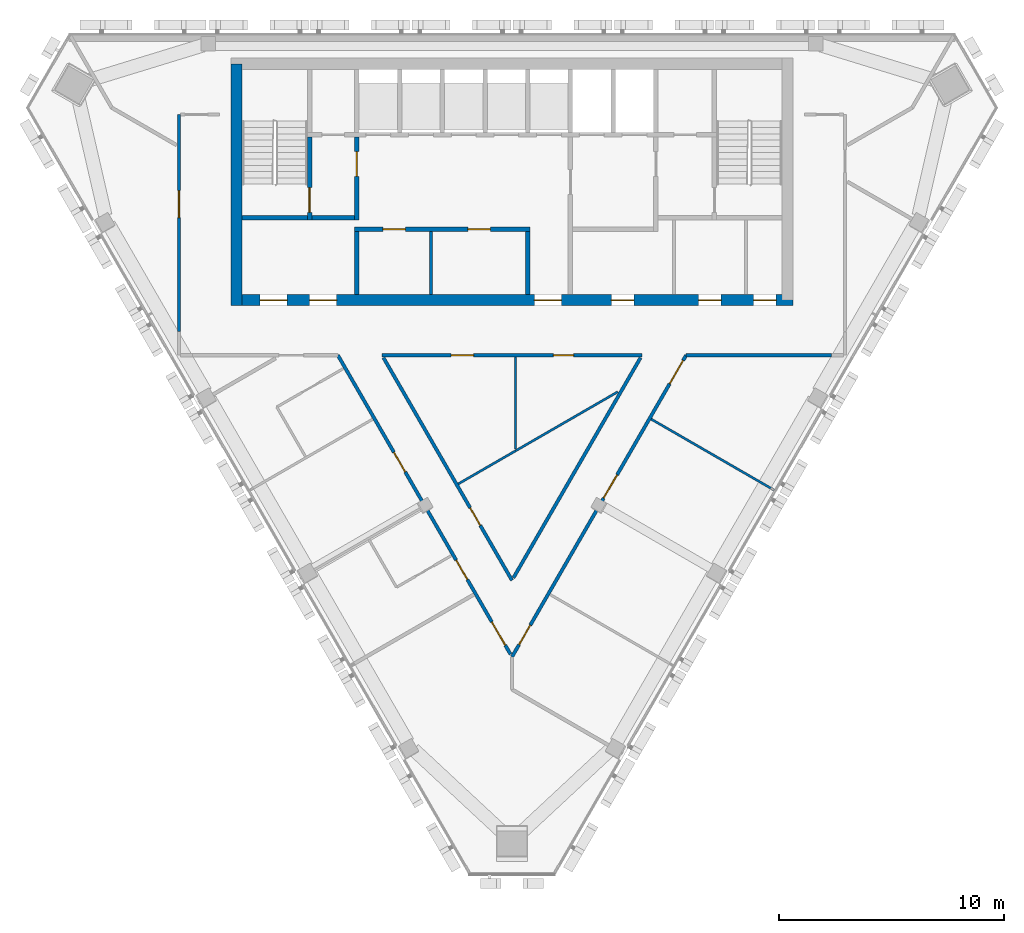
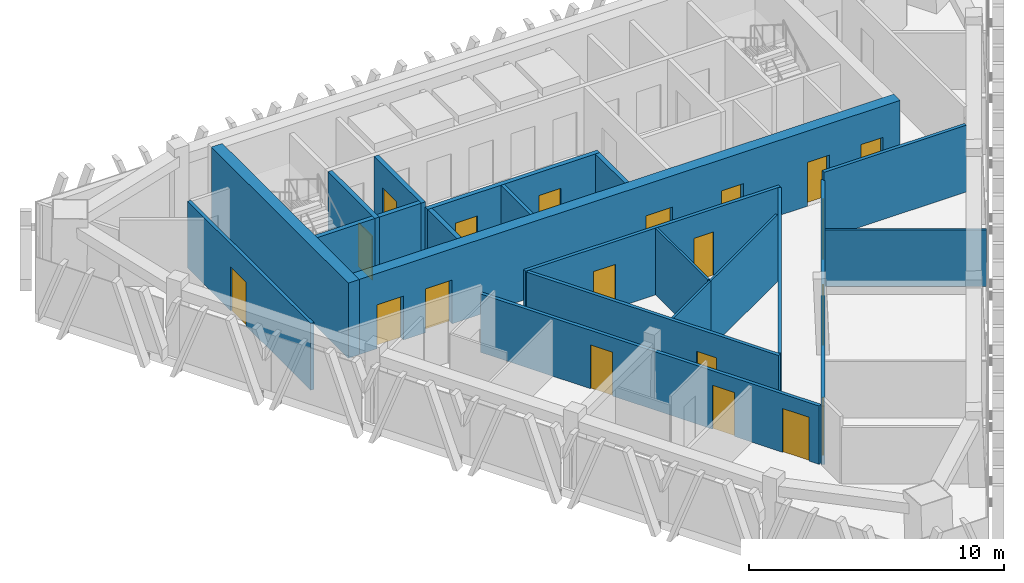
# One storey, part 6 of 12: 21 walls, 20 doors, 20 openings.
"""IFC4 building model written with IfcOpenShell, lengths in metres."""

import ifcopenshell
import ifcopenshell.guid

model = None  # the IFC model being written
_history = None  # IfcOwnerHistory: only IFC2X3 demands one
_inside = {}  # id of a spatial element -> (the spatial element, [elements in it])
_under = {}  # id of a project, library or spatial element -> (it, [spatial elements below it])
_declared = {}  # id of a project -> (the project, [libraries it declares])
_typed = {}  # id of a type object -> (the type object, [elements of that type])
_made_of = {}  # id of a material, layer set ... -> (it, [elements and type objects made of it])


def new_model(schema):
    """Start an empty IFC model of exactly this schema.

    Asked for "IFC4X3", IfcOpenShell would pick the latest addendum, in which some entities
    have other attributes; the version numbers below select the first issue.
    IFC2X3 requires an IfcOwnerHistory on every rooted entity: one is made here for all.
    """
    global model, _history
    if schema == "IFC4X3":
        model = ifcopenshell.file(schema_version=(4, 3, 0, 0))
    else:
        model = ifcopenshell.file(schema=schema)
    _inside.clear()
    _under.clear()
    _declared.clear()
    _typed.clear()
    _made_of.clear()
    _history = None
    if model.schema == "IFC2X3":
        org = make("IfcOrganization", Name="unknown")
        user = make(
            "IfcPersonAndOrganization",
            ThePerson=make("IfcPerson", FamilyName="unknown"),
            TheOrganization=org,
        )
        app = make(
            "IfcApplication",
            ApplicationDeveloper=org,
            Version="unknown",
            ApplicationFullName="unknown",
            ApplicationIdentifier="unknown",
        )
        _history = make(
            "IfcOwnerHistory",
            OwningUser=user,
            OwningApplication=app,
            ChangeAction="ADDED",
            CreationDate=0,
        )
    return model


def make(cls, **values):
    """One entity of the class cls with the attributes given. An attribute that is None is left unset."""
    return model.create_entity(
        cls, **{name: value for name, value in values.items() if value is not None}
    )


def rooted(cls, **values):
    """An entity with a GlobalId (a new one), such as an element, a storey or a relation."""
    return make(cls, GlobalId=ifcopenshell.guid.new(), OwnerHistory=_history, **values)


def si_unit(unit_type, name, prefix=None):
    """IfcSIUnit, for example si_unit("LENGTHUNIT", "METRE", prefix="MILLI")."""
    return make("IfcSIUnit", UnitType=unit_type, Prefix=prefix, Name=name)


def assignment(units):
    """IfcUnitAssignment: the units of a project."""
    return None if units is None else make("IfcUnitAssignment", Units=units)


def point(xyz):
    """IfcCartesianPoint."""
    return None if xyz is None else make("IfcCartesianPoint", Coordinates=xyz)


def direction(xyz):
    """IfcDirection."""
    return None if xyz is None else make("IfcDirection", DirectionRatios=xyz)


def frame(location, z_axis=None, x_axis=None):
    """IfcAxis2Placement3D, a coordinate frame: its origin and axes. An axis left out is left unset."""
    return make(
        "IfcAxis2Placement3D",
        Location=point(location),
        Axis=direction(z_axis),
        RefDirection=direction(x_axis),
    )


def frame_2d(location, x_axis=None):
    """IfcAxis2Placement2D, a coordinate frame in the plane: its origin and x axis."""
    return make(
        "IfcAxis2Placement2D", Location=point(location), RefDirection=direction(x_axis)
    )


def origin():
    """The frame at (0, 0, 0) with its axes left unset."""
    return frame((0.0, 0.0, 0.0))


def place(relative_to, where):
    """IfcLocalPlacement: puts the frame where relative to a parent placement (None: the world)."""
    return make(
        "IfcLocalPlacement", PlacementRelTo=relative_to, RelativePlacement=where
    )


def context(
    kind, dimensions, precision=None, world=None, true_north=None, identifier=None
):
    """IfcGeometricRepresentationContext, for example the 3D "Model" context."""
    return make(
        "IfcGeometricRepresentationContext",
        ContextIdentifier=identifier,
        ContextType=kind,
        CoordinateSpaceDimension=dimensions,
        Precision=precision,
        WorldCoordinateSystem=world,
        TrueNorth=true_north,
    )


def subcontext(parent, identifier, kind, view, scale=None):
    """IfcGeometricRepresentationSubContext, for example "Body" below "Model"."""
    return make(
        "IfcGeometricRepresentationSubContext",
        ContextIdentifier=identifier,
        ContextType=kind,
        ParentContext=parent,
        TargetScale=scale,
        TargetView=view,
    )


def project(units=None, contexts=None):
    """IfcProject with its units and contexts."""
    return rooted(
        "IfcProject",
        Name="project",
        RepresentationContexts=contexts,
        UnitsInContext=assignment(units),
    )


def spatial(cls, under=None, at=None, **own):
    """A site, building, storey or space (cls), placed at a placement, below another one or the project."""
    s = rooted(cls, ObjectPlacement=at, **own)
    if under is not None:
        _under.setdefault(under.id(), (under, []))[1].append(s)
    return s


def profile(cls, at=None, kind="AREA", **sizes):
    """A parametric profile (cls). Its sizes go by their IFC names, for example OverallWidth=200.0."""
    return make(cls, ProfileType=kind, Position=at, **sizes)


def rectangle(**sizes):
    """IfcRectangleProfileDef."""
    return profile("IfcRectangleProfileDef", **sizes)


def extrude(swept, where, along, depth):
    """IfcExtrudedAreaSolid: the profile swept, set in the frame where, extruded along a direction by depth."""
    return make(
        "IfcExtrudedAreaSolid",
        SweptArea=swept,
        Position=where,
        ExtrudedDirection=direction(along),
        Depth=depth,
    )


def shape(context_of_items, identifier, shape_type, items):
    """IfcShapeRepresentation: the items that make up one representation, for example the "Body"."""
    return make(
        "IfcShapeRepresentation",
        ContextOfItems=context_of_items,
        RepresentationIdentifier=identifier,
        RepresentationType=shape_type,
        Items=items,
    )


def material(Name=None, Category=None):
    """IfcMaterial."""
    return make("IfcMaterial", Name=Name, Category=Category)


def layer(
    of_material, thickness, ventilated=None, Name=None, Category=None, Priority=None
):
    """IfcMaterialLayer: one layer of a wall or slab, of a material (None: an air gap)."""
    return make(
        "IfcMaterialLayer",
        Material=of_material,
        LayerThickness=thickness,
        IsVentilated=ventilated,
        Name=Name,
        Category=Category,
        Priority=Priority,
    )


def layer_set(layers, Name=None):
    """IfcMaterialLayerSet."""
    return make("IfcMaterialLayerSet", MaterialLayers=layers, LayerSetName=Name)


def made_of(thing, what):
    """Note that an element or type object is made of a material, layer set ...; save() writes the relation."""
    if what is not None:
        _made_of.setdefault(what.id(), (what, []))[1].append(thing)
    return thing


def type_object(cls, material=None, **own):
    """A type object (cls), such as IfcWallType, which elements share."""
    return made_of(rooted(cls, **own), material)


def element(
    cls,
    number,
    at=None,
    inside=None,
    cuts=None,
    type_object=None,
    material=None,
    context=None,
    identifier="Body",
    shape_type=None,
    held_by="IfcProductDefinitionShape",
    body=None,
    shapes=None,
    **own,
):
    """One element of the class cls, such as IfcWall. Its Tag is "e" and its number.

    at: its placement. inside: the storey or other place that contains it. cuts: it is an
    opening in that element (IfcRelVoidsElement). A single representation is given by context,
    identifier, shape_type and body (its items); several are given by shapes. held_by: the class
    of the entity that holds the representations. save() writes the other relations.
    """
    e = rooted(cls, Tag="e%d" % number, ObjectPlacement=at, **own)
    if body is not None:
        shapes = [shape(context, identifier, shape_type, body)]
    if shapes is not None:
        e.Representation = make(held_by, Representations=shapes)
    if inside is not None:
        _inside.setdefault(inside.id(), (inside, []))[1].append(e)
    if cuts is not None:
        rooted(
            "IfcRelVoidsElement", RelatingBuildingElement=cuts, RelatedOpeningElement=e
        )
    if type_object is not None:
        _typed.setdefault(type_object.id(), (type_object, []))[1].append(e)
    return made_of(e, material)


def fill(opening, filler):
    """IfcRelFillsElement: the door or window that sits in an opening."""
    return rooted(
        "IfcRelFillsElement",
        RelatingOpeningElement=opening,
        RelatedBuildingElement=filler,
    )


def aggregate(whole, parts):
    """IfcRelAggregates: a whole, such as a stair, and the parts it consists of."""
    return rooted("IfcRelAggregates", RelatingObject=whole, RelatedObjects=parts)


def save(model, path):
    """Write the relations noted so far, then the file.

    IfcRelAggregates (storeys below a building ...), IfcRelContainedInSpatialStructure (elements
    in a storey), IfcRelDefinesByType, IfcRelAssociatesMaterial and IfcRelDeclares: one each for
    every whole, place, type object, material and project.
    """
    for whole, parts in _under.values():
        aggregate(whole, parts)
    for where, things in _inside.values():
        rooted(
            "IfcRelContainedInSpatialStructure",
            RelatedElements=things,
            RelatingStructure=where,
        )
    for kind, things in _typed.values():
        rooted("IfcRelDefinesByType", RelatedObjects=things, RelatingType=kind)
    for what, things in _made_of.values():
        rooted("IfcRelAssociatesMaterial", RelatedObjects=things, RelatingMaterial=what)
    for by, libraries in _declared.values():
        rooted("IfcRelDeclares", RelatingContext=by, RelatedDefinitions=libraries)
    model.write(path)


model = new_model("IFC4")

# Units and contexts
model_context = context("Model", 3, precision=1e-05, world=origin(), true_north=direction((0.0, 1.0)))
body_context = subcontext(model_context, "Body", "Model", "MODEL_VIEW")
ifc_project = project(units=[si_unit("LENGTHUNIT", "METRE"), si_unit("AREAUNIT", "SQUARE_METRE"), si_unit("VOLUMEUNIT", "CUBIC_METRE"), si_unit("PLANEANGLEUNIT", "RADIAN"), si_unit("MASSUNIT", "GRAM", prefix="KILO")], contexts=[model_context])

# Site, building, storey
site_placement = place(None, origin())
site = spatial("IfcSite", under=ifc_project, at=site_placement, CompositionType="ELEMENT")
building_placement = place(site_placement, origin())
building = spatial("IfcBuilding", under=site, at=building_placement, Name="Altiplano Prism Tower", CompositionType="ELEMENT")
storey_placement = place(building_placement, frame((0.0, 0.0, 316.60009765625)))
storey = spatial("IfcBuildingStorey", under=building, at=storey_placement, Name="L82", CompositionType="ELEMENT", Elevation=316.60009765625)

# Wall, openings, doors
ifc_material_1 = material(Name="Concrete C60/75", Category="concrete")
ifc_layer_1 = layer(ifc_material_1, 0.5)
ifc_layer_set_1 = layer_set([ifc_layer_1], Name="Concrete C60/75")
wall_type_1 = type_object("IfcWallType", Name="Core wall 500", PredefinedType="SHEAR", material=ifc_layer_set_1)
wall_1_placement = place(storey_placement, frame((72.75, 93.14990234375, 0.0), z_axis=(0.0, 0.0, 1.0), x_axis=(1.0, 0.0, 0.0)))
wall_1 = element("IfcWall", 1, at=wall_1_placement, inside=storey, type_object=wall_type_1, Name="Core wall S L82", PredefinedType="SHEAR", context=body_context, shape_type="SweptSolid", body=[
    extrude(rectangle(XDim=24.75, YDim=0.5, at=frame_2d((12.375, 0.0))), origin(), (0.0, 0.0, 1.0), 3.599853515625),
])
opening_1_placement = place(wall_1_placement, frame((1.050048828125, 0.0, 0.0)))
opening_1 = element("IfcOpeningElement", 2, at=opening_1_placement, cuts=wall_1, Name="Opening D3743", PredefinedType="OPENING", context=body_context, shape_type="SweptSolid", body=[
    extrude(rectangle(XDim=1.199951171875, YDim=2.10009765625, at=frame_2d((0.60009765625, 1.050048828125))), frame((0.0, 0.260498046875, 0.0), z_axis=(0.0, -1.0, 0.0), x_axis=(1.0, 0.0, 0.0)), (0.0, 0.0, 1.0), 0.52099609375),
])
opening_2_placement = place(wall_1_placement, frame((3.25, 0.0, 0.0)))
opening_2 = element("IfcOpeningElement", 3, at=opening_2_placement, cuts=wall_1, Name="Opening D3744", PredefinedType="OPENING", context=body_context, shape_type="SweptSolid", body=[
    extrude(rectangle(XDim=1.199951171875, YDim=2.10009765625, at=frame_2d((0.60009765625, 1.050048828125))), frame((0.0, 0.260498046875, 0.0), z_axis=(0.0, -1.0, 0.0), x_axis=(1.0, 0.0, 0.0)), (0.0, 0.0, 1.0), 0.52099609375),
])
opening_3_placement = place(wall_1_placement, frame((13.25, 0.0, 0.0)))
opening_3 = element("IfcOpeningElement", 4, at=opening_3_placement, cuts=wall_1, Name="Opening D3745", PredefinedType="OPENING", context=body_context, shape_type="SweptSolid", body=[
    extrude(rectangle(XDim=1.199951171875, YDim=2.10009765625, at=frame_2d((0.60009765625, 1.050048828125))), frame((0.0, 0.260498046875, 0.0), z_axis=(0.0, -1.0, 0.0), x_axis=(1.0, 0.0, 0.0)), (0.0, 0.0, 1.0), 0.52099609375),
])
opening_4_placement = place(wall_1_placement, frame((16.66259765625, 0.0, 0.0)))
opening_4 = element("IfcOpeningElement", 5, at=opening_4_placement, cuts=wall_1, Name="Opening D3748", PredefinedType="OPENING", context=body_context, shape_type="SweptSolid", body=[
    extrude(rectangle(XDim=1.0, YDim=2.10009765625, at=frame_2d((0.5, 1.050048828125))), frame((0.0, 0.260498046875, 0.0), z_axis=(0.0, -1.0, 0.0), x_axis=(1.0, 0.0, 0.0)), (0.0, 0.0, 1.0), 0.52099609375),
])
opening_5_placement = place(wall_1_placement, frame((20.550048828125, 0.0, 0.0)))
opening_5 = element("IfcOpeningElement", 6, at=opening_5_placement, cuts=wall_1, Name="Opening D3749", PredefinedType="OPENING", context=body_context, shape_type="SweptSolid", body=[
    extrude(rectangle(XDim=1.0, YDim=2.10009765625, at=frame_2d((0.5, 1.050048828125))), frame((0.0, 0.260498046875, 0.0), z_axis=(0.0, -1.0, 0.0), x_axis=(1.0, 0.0, 0.0)), (0.0, 0.0, 1.0), 0.52099609375),
])
opening_6_placement = place(wall_1_placement, frame((22.987548828125, 0.0, 0.0)))
opening_6 = element("IfcOpeningElement", 7, at=opening_6_placement, cuts=wall_1, Name="Opening D3750", PredefinedType="OPENING", context=body_context, shape_type="SweptSolid", body=[
    extrude(rectangle(XDim=1.0, YDim=2.10009765625, at=frame_2d((0.5, 1.050048828125))), frame((0.0, 0.260498046875, 0.0), z_axis=(0.0, -1.0, 0.0), x_axis=(1.0, 0.0, 0.0)), (0.0, 0.0, 1.0), 0.52099609375),
])
ifc_material_2 = material(Name="Fire-rated steel door", Category="steel")
door_type_1 = type_object("IfcDoorType", Name="Core room door 1000 x 2100", OperationType="NOTDEFINED", PredefinedType="NOTDEFINED", material=ifc_material_2)
door_1_placement = place(opening_4_placement, origin())
door_1 = element("IfcDoor", 8, at=door_1_placement, inside=storey, type_object=door_type_1, Name="Core room door D3748", OperationType="SINGLE_SWING_RIGHT", OverallHeight=2.10009765625, OverallWidth=1.0, PredefinedType="NOTDEFINED", context=body_context, shape_type="SweptSolid", body=[
    extrude(rectangle(XDim=1.0, YDim=2.10009765625, at=frame_2d((0.5, 1.050048828125))), frame((0.0, 0.02490234375, 0.0), z_axis=(0.0, -1.0, 0.0), x_axis=(1.0, 0.0, 0.0)), (0.0, 0.0, 1.0), 0.050048828125),
])
fill(opening_4, door_1)
door_2_placement = place(opening_5_placement, origin())
door_2 = element("IfcDoor", 9, at=door_2_placement, inside=storey, type_object=door_type_1, Name="Core room door D3749", OperationType="SINGLE_SWING_LEFT", OverallHeight=2.10009765625, OverallWidth=1.0, PredefinedType="NOTDEFINED", context=body_context, shape_type="SweptSolid", body=[
    extrude(rectangle(XDim=1.0, YDim=2.10009765625, at=frame_2d((0.5, 1.050048828125))), frame((0.0, 0.02490234375, 0.0), z_axis=(0.0, -1.0, 0.0), x_axis=(1.0, 0.0, 0.0)), (0.0, 0.0, 1.0), 0.050048828125),
])
fill(opening_5, door_2)
door_3_placement = place(opening_6_placement, origin())
door_3 = element("IfcDoor", 10, at=door_3_placement, inside=storey, type_object=door_type_1, Name="Core room door D3750", OperationType="SINGLE_SWING_RIGHT", OverallHeight=2.10009765625, OverallWidth=1.0, PredefinedType="NOTDEFINED", context=body_context, shape_type="SweptSolid", body=[
    extrude(rectangle(XDim=1.0, YDim=2.10009765625, at=frame_2d((0.5, 1.050048828125))), frame((0.0, 0.02490234375, 0.0), z_axis=(0.0, -1.0, 0.0), x_axis=(1.0, 0.0, 0.0)), (0.0, 0.0, 1.0), 0.050048828125),
])
fill(opening_6, door_3)
door_type_2 = type_object("IfcDoorType", Name="Lobby fire door 1200 x 2100", OperationType="NOTDEFINED", PredefinedType="NOTDEFINED", material=ifc_material_2)
door_4_placement = place(opening_1_placement, origin())
door_4 = element("IfcDoor", 11, at=door_4_placement, inside=storey, type_object=door_type_2, Name="Lobby fire door D3743", OperationType="SINGLE_SWING_RIGHT", OverallHeight=2.10009765625, OverallWidth=1.199951171875, PredefinedType="NOTDEFINED", context=body_context, shape_type="SweptSolid", body=[
    extrude(rectangle(XDim=1.199951171875, YDim=2.10009765625, at=frame_2d((0.60009765625, 1.050048828125))), frame((0.0, 0.02490234375, 0.0), z_axis=(0.0, -1.0, 0.0), x_axis=(1.0, 0.0, 0.0)), (0.0, 0.0, 1.0), 0.050048828125),
])
fill(opening_1, door_4)
door_5_placement = place(opening_2_placement, origin())
door_5 = element("IfcDoor", 12, at=door_5_placement, inside=storey, type_object=door_type_2, Name="Lobby fire door D3744", OperationType="SINGLE_SWING_LEFT", OverallHeight=2.10009765625, OverallWidth=1.199951171875, PredefinedType="NOTDEFINED", context=body_context, shape_type="SweptSolid", body=[
    extrude(rectangle(XDim=1.199951171875, YDim=2.10009765625, at=frame_2d((0.60009765625, 1.050048828125))), frame((0.0, 0.02490234375, 0.0), z_axis=(0.0, -1.0, 0.0), x_axis=(1.0, 0.0, 0.0)), (0.0, 0.0, 1.0), 0.050048828125),
])
fill(opening_2, door_5)
door_6_placement = place(opening_3_placement, origin())
door_6 = element("IfcDoor", 13, at=door_6_placement, inside=storey, type_object=door_type_2, Name="Lobby fire door D3745", OperationType="SINGLE_SWING_RIGHT", OverallHeight=2.10009765625, OverallWidth=1.199951171875, PredefinedType="NOTDEFINED", context=body_context, shape_type="SweptSolid", body=[
    extrude(rectangle(XDim=1.199951171875, YDim=2.10009765625, at=frame_2d((0.60009765625, 1.050048828125))), frame((0.0, 0.02490234375, 0.0), z_axis=(0.0, -1.0, 0.0), x_axis=(1.0, 0.0, 0.0)), (0.0, 0.0, 1.0), 0.050048828125),
])
fill(opening_3, door_6)

# Walls
wall_2_placement = place(storey_placement, frame((72.75, 103.64990234375, 0.0), z_axis=(0.0, 0.0, 1.0), x_axis=(0.0, -1.0, 0.0)))
element("IfcWall", 14, at=wall_2_placement, inside=storey, type_object=wall_type_1, Name="Core wall W L82", PredefinedType="SHEAR", context=body_context, shape_type="SweptSolid", body=[
    extrude(rectangle(XDim=10.75, YDim=0.5, at=frame_2d((5.375, 0.0))), origin(), (0.0, 0.0, 1.0), 3.599853515625),
])
ifc_material_3 = material(Name="Plasterboard on steel stud", Category="steel")
ifc_layer_2 = layer(ifc_material_3, 0.10009765625)
ifc_layer_set_2 = layer_set([ifc_layer_2], Name="Plasterboard on steel stud")
wall_type_2 = type_object("IfcWallType", Name="Partition 100 wet", PredefinedType="PARTITIONING", material=ifc_layer_set_2)
wall_3_placement = place(storey_placement, frame((85.14111328125, 86.4384765625, 0.0), z_axis=(0.0, 0.0, 1.0), x_axis=(0.86601724409, 0.500014132739, 0.0)))
element("IfcWall", 15, at=wall_3_placement, inside=storey, type_object=wall_type_2, Name="Partition P03 L82 016", PredefinedType="PARTITIONING", context=body_context, shape_type="SweptSolid", body=[
    extrude(rectangle(XDim=5.264892578125, YDim=0.10009765625, at=frame_2d((2.63232421875, 0.0))), origin(), (0.0, 0.0, 1.0), 3.199951171875),
])
wall_4_placement = place(storey_placement, frame((85.158447265625, 90.6240234375, 0.0), z_axis=(0.0, 0.0, 1.0), x_axis=(0.0, -1.0, 0.0)))
element("IfcWall", 16, at=wall_4_placement, inside=storey, type_object=wall_type_2, Name="Partition P03 L82 017", PredefinedType="PARTITIONING", context=body_context, shape_type="SweptSolid", body=[
    extrude(rectangle(XDim=4.0888671875, YDim=0.10009765625, at=frame_2d((2.04443359375, 0.0))), origin(), (0.0, 0.0, 1.0), 3.199951171875),
])
wall_5_placement = place(storey_placement, frame((85.158447265625, 86.448486328125, 0.0), z_axis=(0.0, 0.0, 1.0), x_axis=(-0.866052847297, -0.49995246343, 0.0)))
element("IfcWall", 17, at=wall_5_placement, inside=storey, type_object=wall_type_2, Name="Partition P03 L82 018", PredefinedType="PARTITIONING", context=body_context, shape_type="SweptSolid", body=[
    extrude(rectangle(XDim=2.940185546875, YDim=0.10009765625, at=frame_2d((1.47021484375, 0.0))), origin(), (0.0, 0.0, 1.0), 3.199951171875),
])
wall_6_placement = place(storey_placement, frame((96.6826171875, 84.68505859375, 0.0), z_axis=(0.0, 0.0, 1.0), x_axis=(-0.866025401434, 0.500000004071, 0.0)))
element("IfcWall", 18, at=wall_6_placement, inside=storey, type_object=wall_type_2, Name="Partition P03 L82 032", PredefinedType="PARTITIONING", context=body_context, shape_type="SweptSolid", body=[
    extrude(rectangle(XDim=6.34521484375, YDim=0.10009765625, at=frame_2d((3.172607421875, 0.0))), origin(), (0.0, 0.0, 1.0), 2.699951171875),
])
ifc_layer_3 = layer(ifc_material_3, 0.14990234375)
ifc_layer_set_3 = layer_set([ifc_layer_3], Name="Plasterboard on steel stud")
wall_type_3 = type_object("IfcWallType", Name="Partition 150 corridor", PredefinedType="PARTITIONING", material=ifc_layer_set_3)
wall_7_placement = place(storey_placement, frame((90.71240234375, 90.58642578125, 0.0), z_axis=(0.0, 0.0, 1.0), x_axis=(-0.500007481044, -0.866021084559, 0.0)))
element("IfcWall", 19, at=wall_7_placement, inside=storey, type_object=wall_type_3, Name="Partition P06 L82 001", PredefinedType="PARTITIONING", context=body_context, shape_type="SweptSolid", body=[
    extrude(rectangle(XDim=11.294677734375, YDim=0.14990234375, at=frame_2d((5.6474609375, 0.0))), origin(), (0.0, 0.0, 1.0), 3.199951171875),
])

# Wall, opening, door
wall_8_placement = place(storey_placement, frame((85.0, 80.692626953125, 0.0), z_axis=(0.0, 0.0, 1.0), x_axis=(-0.500014109568, 0.866017257468, 0.0)))
wall_8 = element("IfcWall", 20, at=wall_8_placement, inside=storey, type_object=wall_type_3, Name="Partition P06 L82 002", PredefinedType="PARTITIONING", context=body_context, shape_type="SweptSolid", body=[
    extrude(rectangle(XDim=11.424560546875, YDim=0.14990234375, at=frame_2d((5.71240234375, 0.0))), origin(), (0.0, 0.0, 1.0), 3.199951171875),
])
opening_7_placement = place(wall_8_placement, frame((2.820068359375, 0.0, 0.0)))
opening_7 = element("IfcOpeningElement", 21, at=opening_7_placement, cuts=wall_8, Name="Opening D2409", PredefinedType="OPENING", context=body_context, shape_type="SweptSolid", body=[
    extrude(rectangle(XDim=0.89990234375, YDim=2.10009765625, at=frame_2d((0.449951171875, 1.050048828125))), frame((0.0, 0.08544921875, 0.0), z_axis=(0.0, -1.0, 0.0), x_axis=(1.0, 0.0, 0.0)), (0.0, 0.0, 1.0), 0.1708984375),
])
ifc_material_4 = material(Name="Timber", Category="wood")
door_type_3 = type_object("IfcDoorType", Name="Toilet door 900 x 2100", OperationType="NOTDEFINED", PredefinedType="NOTDEFINED", material=ifc_material_4)
door_7_placement = place(opening_7_placement, origin())
door_7 = element("IfcDoor", 22, at=door_7_placement, inside=storey, type_object=door_type_3, Name="Door D2409", OperationType="SINGLE_SWING_RIGHT", OverallHeight=2.10009765625, OverallWidth=0.89990234375, PredefinedType="NOTDEFINED", context=body_context, shape_type="SweptSolid", body=[
    extrude(rectangle(XDim=0.89990234375, YDim=2.10009765625, at=frame_2d((0.449951171875, 1.050048828125))), frame((0.0, 0.02490234375, 0.0), z_axis=(0.0, -1.0, 0.0), x_axis=(1.0, 0.0, 0.0)), (0.0, 0.0, 1.0), 0.050048828125),
])
fill(opening_7, door_7)

# Wall, openings, doors
wall_9_placement = place(storey_placement, frame((79.22265625, 90.698974609375, 0.0), z_axis=(0.0, 0.0, 1.0), x_axis=(1.0, 0.0, 0.0)))
wall_9 = element("IfcWall", 23, at=wall_9_placement, inside=storey, type_object=wall_type_3, Name="Partition P06 L82 003", PredefinedType="PARTITIONING", context=body_context, shape_type="SweptSolid", body=[
    extrude(rectangle(XDim=11.5546875, YDim=0.14990234375, at=frame_2d((5.77734375, 0.0))), origin(), (0.0, 0.0, 1.0), 3.199951171875),
])
opening_8_placement = place(wall_9_placement, frame((7.6220703125, 0.0, 0.0)))
opening_8 = element("IfcOpeningElement", 24, at=opening_8_placement, cuts=wall_9, Name="Opening D2408", PredefinedType="OPENING", context=body_context, shape_type="SweptSolid", body=[
    extrude(rectangle(XDim=0.89990234375, YDim=2.10009765625, at=frame_2d((0.449951171875, 1.050048828125))), frame((0.0, 0.08544921875, 0.0), z_axis=(0.0, -1.0, 0.0), x_axis=(1.0, 0.0, 0.0)), (0.0, 0.0, 1.0), 0.1708984375),
])
opening_9_placement = place(wall_9_placement, frame((3.072021484375, 0.0, 0.0)))
opening_9 = element("IfcOpeningElement", 25, at=opening_9_placement, cuts=wall_9, Name="Opening D2410", PredefinedType="OPENING", context=body_context, shape_type="SweptSolid", body=[
    extrude(rectangle(XDim=1.0, YDim=2.10009765625, at=frame_2d((0.5, 1.050048828125))), frame((0.0, 0.08544921875, 0.0), z_axis=(0.0, -1.0, 0.0), x_axis=(1.0, 0.0, 0.0)), (0.0, 0.0, 1.0), 0.1708984375),
])
door_type_4 = type_object("IfcDoorType", Name="Store door 1000 x 2100", OperationType="NOTDEFINED", PredefinedType="NOTDEFINED", material=ifc_material_4)
door_8_placement = place(opening_9_placement, origin())
door_8 = element("IfcDoor", 26, at=door_8_placement, inside=storey, type_object=door_type_4, Name="Door D2410", OperationType="SINGLE_SWING_RIGHT", OverallHeight=2.10009765625, OverallWidth=1.0, PredefinedType="NOTDEFINED", context=body_context, shape_type="SweptSolid", body=[
    extrude(rectangle(XDim=1.0, YDim=2.10009765625, at=frame_2d((0.5, 1.050048828125))), frame((0.0, 0.02490234375, 0.0), z_axis=(0.0, -1.0, 0.0), x_axis=(1.0, 0.0, 0.0)), (0.0, 0.0, 1.0), 0.050048828125),
])
fill(opening_9, door_8)
door_9_placement = place(opening_8_placement, origin())
door_9 = element("IfcDoor", 27, at=door_9_placement, inside=storey, type_object=door_type_3, Name="Door D2408", OperationType="SINGLE_SWING_RIGHT", OverallHeight=2.10009765625, OverallWidth=0.89990234375, PredefinedType="NOTDEFINED", context=body_context, shape_type="SweptSolid", body=[
    extrude(rectangle(XDim=0.89990234375, YDim=2.10009765625, at=frame_2d((0.449951171875, 1.050048828125))), frame((0.0, 0.02490234375, 0.0), z_axis=(0.0, -1.0, 0.0), x_axis=(1.0, 0.0, 0.0)), (0.0, 0.0, 1.0), 0.050048828125),
])
fill(opening_8, door_9)

# Wall, opening, door
wall_10_placement = place(storey_placement, frame((70.199462890625, 101.40087890625, 0.0), z_axis=(0.0, 0.0, 1.0), x_axis=(5.0553561e-05, -0.999999998722, 0.0)))
wall_10 = element("IfcWall", 28, at=wall_10_placement, inside=storey, type_object=wall_type_3, Name="Partition P06 L82 004", PredefinedType="PARTITIONING", context=body_context, shape_type="SweptSolid", body=[
    extrude(rectangle(XDim=9.65869140625, YDim=0.14990234375, at=frame_2d((4.829345703125, 0.0))), origin(), (0.0, 0.0, 1.0), 3.199951171875),
])
opening_10_placement = place(wall_10_placement, frame((3.386962890625, 0.0, 0.0)))
opening_10 = element("IfcOpeningElement", 29, at=opening_10_placement, cuts=wall_10, Name="Opening D2411", PredefinedType="OPENING", context=body_context, shape_type="SweptSolid", body=[
    extrude(rectangle(XDim=1.199951171875, YDim=2.10009765625, at=frame_2d((0.60009765625, 1.050048828125))), frame((0.0, 0.08544921875, 0.0), z_axis=(0.0, -1.0, 0.0), x_axis=(1.0, 0.0, 0.0)), (0.0, 0.0, 1.0), 0.1708984375),
])
door_type_5 = type_object("IfcDoorType", Name="Shared room door 1200 x 2100", OperationType="NOTDEFINED", PredefinedType="NOTDEFINED", material=ifc_material_4)
door_10_placement = place(opening_10_placement, origin())
door_10 = element("IfcDoor", 30, at=door_10_placement, inside=storey, type_object=door_type_5, Name="Door D2411", OperationType="SINGLE_SWING_RIGHT", OverallHeight=2.10009765625, OverallWidth=1.199951171875, PredefinedType="NOTDEFINED", context=body_context, shape_type="SweptSolid", body=[
    extrude(rectangle(XDim=1.199951171875, YDim=2.10009765625, at=frame_2d((0.60009765625, 1.050048828125))), frame((0.0, 0.02490234375, 0.0), z_axis=(0.0, -1.0, 0.0), x_axis=(1.0, 0.0, 0.0)), (0.0, 0.0, 1.0), 0.050048828125),
])
fill(opening_10, door_10)

# Wall, openings, doors
wall_11_placement = place(storey_placement, frame((77.258056640625, 90.699951171875, 0.0), z_axis=(0.0, 0.0, 1.0), x_axis=(0.500002324769, -0.866024061574, 0.0)))
wall_11 = element("IfcWall", 31, at=wall_11_placement, inside=storey, type_object=wall_type_3, Name="Partition P06 L82 008", PredefinedType="PARTITIONING", context=body_context, shape_type="SweptSolid", body=[
    extrude(rectangle(XDim=15.35400390625, YDim=0.14990234375, at=frame_2d((7.677001953125, 0.0))), origin(), (0.0, 0.0, 1.0), 2.7998046875),
])
opening_11_placement = place(wall_11_placement, frame((4.989013671875, 0.0, 0.0)))
opening_11 = element("IfcOpeningElement", 32, at=opening_11_placement, cuts=wall_11, Name="Opening D2414", PredefinedType="OPENING", context=body_context, shape_type="SweptSolid", body=[
    extrude(rectangle(XDim=1.0, YDim=2.10009765625, at=frame_2d((0.5, 1.050048828125))), frame((0.0, 0.08544921875, 0.0), z_axis=(0.0, -1.0, 0.0), x_axis=(1.0, 0.0, 0.0)), (0.0, 0.0, 1.0), 0.1708984375),
])
opening_12_placement = place(wall_11_placement, frame((10.51806640625, 0.0, 0.0)))
opening_12 = element("IfcOpeningElement", 33, at=opening_12_placement, cuts=wall_11, Name="Opening D2415", PredefinedType="OPENING", context=body_context, shape_type="SweptSolid", body=[
    extrude(rectangle(XDim=1.0, YDim=2.10009765625, at=frame_2d((0.5, 1.050048828125))), frame((0.0, 0.08544921875, 0.0), z_axis=(0.0, -1.0, 0.0), x_axis=(1.0, 0.0, 0.0)), (0.0, 0.0, 1.0), 0.1708984375),
])
opening_13_placement = place(wall_11_placement, frame((13.68701171875, 0.0, 0.0)))
opening_13 = element("IfcOpeningElement", 34, at=opening_13_placement, cuts=wall_11, Name="Opening D2417", PredefinedType="OPENING", context=body_context, shape_type="SweptSolid", body=[
    extrude(rectangle(XDim=1.199951171875, YDim=2.10009765625, at=frame_2d((0.60009765625, 1.050048828125))), frame((0.0, 0.08544921875, 0.0), z_axis=(0.0, -1.0, 0.0), x_axis=(1.0, 0.0, 0.0)), (0.0, 0.0, 1.0), 0.1708984375),
])
door_type_6 = type_object("IfcDoorType", Name="Bedroom entrance door 1000 x 2100", OperationType="NOTDEFINED", PredefinedType="NOTDEFINED", material=ifc_material_4)
door_11_placement = place(opening_12_placement, origin())
door_11 = element("IfcDoor", 35, at=door_11_placement, inside=storey, type_object=door_type_6, Name="Door D2415", OperationType="SINGLE_SWING_RIGHT", OverallHeight=2.10009765625, OverallWidth=1.0, PredefinedType="NOTDEFINED", context=body_context, shape_type="SweptSolid", body=[
    extrude(rectangle(XDim=1.0, YDim=2.10009765625, at=frame_2d((0.5, 1.050048828125))), frame((0.0, 0.02490234375, 0.0), z_axis=(0.0, -1.0, 0.0), x_axis=(1.0, 0.0, 0.0)), (0.0, 0.0, 1.0), 0.050048828125),
])
fill(opening_12, door_11)
door_type_7 = type_object("IfcDoorType", Name="Room door 1000 x 2100", OperationType="NOTDEFINED", PredefinedType="NOTDEFINED", material=ifc_material_4)
door_12_placement = place(opening_11_placement, origin())
door_12 = element("IfcDoor", 36, at=door_12_placement, inside=storey, type_object=door_type_7, Name="Door D2414", OperationType="SINGLE_SWING_RIGHT", OverallHeight=2.10009765625, OverallWidth=1.0, PredefinedType="NOTDEFINED", context=body_context, shape_type="SweptSolid", body=[
    extrude(rectangle(XDim=1.0, YDim=2.10009765625, at=frame_2d((0.5, 1.050048828125))), frame((0.0, 0.02490234375, 0.0), z_axis=(0.0, -1.0, 0.0), x_axis=(1.0, 0.0, 0.0)), (0.0, 0.0, 1.0), 0.050048828125),
])
fill(opening_11, door_12)
door_13_placement = place(opening_13_placement, origin())
door_13 = element("IfcDoor", 37, at=door_13_placement, inside=storey, type_object=door_type_5, Name="Door D2417", OperationType="SINGLE_SWING_RIGHT", OverallHeight=2.10009765625, OverallWidth=1.199951171875, PredefinedType="NOTDEFINED", context=body_context, shape_type="SweptSolid", body=[
    extrude(rectangle(XDim=1.199951171875, YDim=2.10009765625, at=frame_2d((0.60009765625, 1.050048828125))), frame((0.0, 0.02490234375, 0.0), z_axis=(0.0, -1.0, 0.0), x_axis=(1.0, 0.0, 0.0)), (0.0, 0.0, 1.0), 0.050048828125),
])
fill(opening_13, door_13)

wall_12_placement = place(storey_placement, frame((85.0, 77.29052734375, 0.0), z_axis=(0.0, 0.0, 1.0), x_axis=(0.500000431216, 0.866025154822, 0.0)))
wall_12 = element("IfcWall", 38, at=wall_12_placement, inside=storey, type_object=wall_type_3, Name="Partition P06 L82 009", PredefinedType="PARTITIONING", context=body_context, shape_type="SweptSolid", body=[
    extrude(rectangle(XDim=15.48388671875, YDim=0.14990234375, at=frame_2d((7.741943359375, 0.0))), origin(), (0.0, 0.0, 1.0), 2.7998046875),
])
opening_14_placement = place(wall_12_placement, frame((0.6240234375, 0.0, 0.0)))
opening_14 = element("IfcOpeningElement", 39, at=opening_14_placement, cuts=wall_12, Name="Opening D2418", PredefinedType="OPENING", context=body_context, shape_type="SweptSolid", body=[
    extrude(rectangle(XDim=1.0, YDim=2.10009765625, at=frame_2d((0.5, 1.050048828125))), frame((0.0, 0.08544921875, 0.0), z_axis=(0.0, -1.0, 0.0), x_axis=(1.0, 0.0, 0.0)), (0.0, 0.0, 1.0), 0.1708984375),
])
opening_15_placement = place(wall_12_placement, frame((8.14501953125, 0.0, 0.0)))
opening_15 = element("IfcOpeningElement", 40, at=opening_15_placement, cuts=wall_12, Name="Opening D2419", PredefinedType="OPENING", context=body_context, shape_type="SweptSolid", body=[
    extrude(rectangle(XDim=1.199951171875, YDim=2.10009765625, at=frame_2d((0.60009765625, 1.050048828125))), frame((0.0, 0.08544921875, 0.0), z_axis=(0.0, -1.0, 0.0), x_axis=(1.0, 0.0, 0.0)), (0.0, 0.0, 1.0), 0.1708984375),
])
opening_16_placement = place(wall_12_placement, frame((14.009033203125, 0.0, 0.0)))
opening_16 = element("IfcOpeningElement", 41, at=opening_16_placement, cuts=wall_12, Name="Opening D2420", PredefinedType="OPENING", context=body_context, shape_type="SweptSolid", body=[
    extrude(rectangle(XDim=1.199951171875, YDim=2.10009765625, at=frame_2d((0.60009765625, 1.050048828125))), frame((0.0, 0.08544921875, 0.0), z_axis=(0.0, -1.0, 0.0), x_axis=(1.0, 0.0, 0.0)), (0.0, 0.0, 1.0), 0.1708984375),
])
door_14_placement = place(opening_14_placement, origin())
door_14 = element("IfcDoor", 42, at=door_14_placement, inside=storey, type_object=door_type_7, Name="Door D2418", OperationType="SINGLE_SWING_LEFT", OverallHeight=2.10009765625, OverallWidth=1.0, PredefinedType="NOTDEFINED", context=body_context, shape_type="SweptSolid", body=[
    extrude(rectangle(XDim=1.0, YDim=2.10009765625, at=frame_2d((0.5, 1.050048828125))), frame((0.0, 0.02490234375, 0.0), z_axis=(0.0, -1.0, 0.0), x_axis=(1.0, 0.0, 0.0)), (0.0, 0.0, 1.0), 0.050048828125),
])
fill(opening_14, door_14)
door_15_placement = place(opening_15_placement, origin())
door_15 = element("IfcDoor", 43, at=door_15_placement, inside=storey, type_object=door_type_5, Name="Door D2419", OperationType="SINGLE_SWING_RIGHT", OverallHeight=2.10009765625, OverallWidth=1.199951171875, PredefinedType="NOTDEFINED", context=body_context, shape_type="SweptSolid", body=[
    extrude(rectangle(XDim=1.199951171875, YDim=2.10009765625, at=frame_2d((0.60009765625, 1.050048828125))), frame((0.0, 0.02490234375, 0.0), z_axis=(0.0, -1.0, 0.0), x_axis=(1.0, 0.0, 0.0)), (0.0, 0.0, 1.0), 0.050048828125),
])
fill(opening_15, door_15)
door_16_placement = place(opening_16_placement, origin())
door_16 = element("IfcDoor", 44, at=door_16_placement, inside=storey, type_object=door_type_5, Name="Door D2420", OperationType="SINGLE_SWING_RIGHT", OverallHeight=2.10009765625, OverallWidth=1.199951171875, PredefinedType="NOTDEFINED", context=body_context, shape_type="SweptSolid", body=[
    extrude(rectangle(XDim=1.199951171875, YDim=2.10009765625, at=frame_2d((0.60009765625, 1.050048828125))), frame((0.0, 0.02490234375, 0.0), z_axis=(0.0, -1.0, 0.0), x_axis=(1.0, 0.0, 0.0)), (0.0, 0.0, 1.0), 0.050048828125),
])
fill(opening_16, door_16)

# Walls
wall_13_placement = place(storey_placement, frame((92.741943359375, 90.699951171875, 0.0), z_axis=(0.0, 0.0, 1.0), x_axis=(1.0, 0.0, 0.0)))
element("IfcWall", 45, at=wall_13_placement, inside=storey, type_object=wall_type_3, Name="Partition P06 L82 010", PredefinedType="PARTITIONING", context=body_context, shape_type="SweptSolid", body=[
    extrude(rectangle(XDim=6.45654296875, YDim=0.14990234375, at=frame_2d((3.228271484375, 0.0))), origin(), (0.0, 0.0, 1.0), 3.199951171875),
])
ifc_material_5 = material(Name="Fire-rated gypsum board partition")
ifc_layer_4 = layer(ifc_material_5, 0.14990234375)
ifc_layer_set_4 = layer_set([ifc_layer_4], Name="Fire-rated gypsum board partition")
wall_type_4 = type_object("IfcWallType", Name="Room partition 150", PredefinedType="PARTITIONING", material=ifc_layer_set_4)
wall_14_placement = place(storey_placement, frame((81.39990234375, 93.39990234375, 0.0), z_axis=(0.0, 0.0, 1.0), x_axis=(0.0, 1.0, 0.0)))
element("IfcWall", 46, at=wall_14_placement, inside=storey, type_object=wall_type_4, Name="Room partition L82", PredefinedType="PARTITIONING", context=body_context, shape_type="SweptSolid", body=[
    extrude(rectangle(XDim=2.800048828125, YDim=0.14990234375, at=frame_2d((1.39990234375, 0.0))), origin(), (0.0, 0.0, 1.0), 3.199951171875),
])
ifc_layer_5 = layer(ifc_material_1, 0.199951171875)
ifc_layer_set_5 = layer_set([ifc_layer_5], Name="Concrete C60/75")
wall_type_5 = type_object("IfcWallType", Name="Stair wall 200", PredefinedType="SOLIDWALL", material=ifc_layer_set_5)
wall_15_placement = place(storey_placement, frame((73.0, 96.800048828125, 0.0), z_axis=(0.0, 0.0, 1.0), x_axis=(1.0, 0.0, 0.0)))
element("IfcWall", 47, at=wall_15_placement, inside=storey, type_object=wall_type_5, Name="Stair wall L82", PredefinedType="SOLIDWALL", context=body_context, shape_type="SweptSolid", body=[
    extrude(rectangle(XDim=2.89990234375, YDim=0.199951171875, at=frame_2d((1.449951171875, 0.0))), origin(), (0.0, 0.0, 1.0), 3.199951171875),
])

# Wall, opening, door
wall_16_placement = place(storey_placement, frame((76.0, 96.699951171875, 0.0), z_axis=(0.0, 0.0, 1.0), x_axis=(0.0, 1.0, 0.0)))
wall_16 = element("IfcWall", 48, at=wall_16_placement, inside=storey, type_object=wall_type_5, Name="Stair wall L82", PredefinedType="SOLIDWALL", context=body_context, shape_type="SweptSolid", body=[
    extrude(rectangle(XDim=3.699951171875, YDim=0.199951171875, at=frame_2d((1.85009765625, 0.0))), origin(), (0.0, 0.0, 1.0), 3.199951171875),
])
opening_17_placement = place(wall_16_placement, frame((0.35009765625, 0.0, 0.0)))
opening_17 = element("IfcOpeningElement", 49, at=opening_17_placement, cuts=wall_16, Name="Opening D3738", PredefinedType="OPENING", context=body_context, shape_type="SweptSolid", body=[
    extrude(rectangle(XDim=1.10009765625, YDim=2.10009765625, at=frame_2d((0.550048828125, 1.050048828125))), frame((0.0, 0.1103515625, 0.0), z_axis=(0.0, -1.0, 0.0), x_axis=(1.0, 0.0, 0.0)), (0.0, 0.0, 1.0), 0.220947265625),
])
door_type_8 = type_object("IfcDoorType", Name="Stair fire door 1100 x 2100", OperationType="NOTDEFINED", PredefinedType="NOTDEFINED", material=ifc_material_2)
door_17_placement = place(opening_17_placement, origin())
door_17 = element("IfcDoor", 50, at=door_17_placement, inside=storey, type_object=door_type_8, Name="Stair fire door D3738", OperationType="SINGLE_SWING_RIGHT", OverallHeight=2.10009765625, OverallWidth=1.10009765625, PredefinedType="NOTDEFINED", context=body_context, shape_type="SweptSolid", body=[
    extrude(rectangle(XDim=1.10009765625, YDim=2.10009765625, at=frame_2d((0.550048828125, 1.050048828125))), frame((0.0, 0.02490234375, 0.0), z_axis=(0.0, -1.0, 0.0), x_axis=(1.0, 0.0, 0.0)), (0.0, 0.0, 1.0), 0.050048828125),
])
fill(opening_17, door_17)

# Walls
ifc_layer_6 = layer(ifc_material_1, 0.199951171875)
ifc_layer_set_6 = layer_set([ifc_layer_6], Name="Concrete C60/75")
wall_type_6 = type_object("IfcWallType", Name="Vestibule wall 200", PredefinedType="PARTITIONING", material=ifc_layer_set_6)
for number, where, z_axis, x_axis, name in (
    (51, (78.10009765625, 93.39990234375, 0.0), (0.0, 0.0, 1.0), (0.0, 1.0, 0.0), "Vestibule wall L82"),
    (52, (85.699951171875, 93.39990234375, 0.0), (0.0, 0.0, 1.0), (0.0, 1.0, 0.0), "Vestibule wall L82"),
):
    element("IfcWall", number, at=place(storey_placement, frame(where, z_axis=z_axis, x_axis=x_axis)), inside=storey, type_object=wall_type_6, Name=name, PredefinedType="PARTITIONING", context=body_context, shape_type="SweptSolid", body=[
        extrude(rectangle(XDim=2.800048828125, YDim=0.199951171875, at=frame_2d((1.39990234375, 0.0))), origin(), (0.0, 0.0, 1.0), 3.199951171875),
    ])

# Wall, openings, doors
wall_17_placement = place(storey_placement, frame((78.0, 96.300048828125, 0.0), z_axis=(0.0, 0.0, 1.0), x_axis=(1.0, 0.0, 0.0)))
wall_17 = element("IfcWall", 53, at=wall_17_placement, inside=storey, type_object=wall_type_6, Name="Vestibule wall L82", PredefinedType="PARTITIONING", context=body_context, shape_type="SweptSolid", body=[
    extrude(rectangle(XDim=7.800048828125, YDim=0.199951171875, at=frame_2d((3.89990234375, 0.0))), origin(), (0.0, 0.0, 1.0), 3.199951171875),
])
opening_18_placement = place(wall_17_placement, frame((1.262451171875, 0.0, 0.0)))
opening_18 = element("IfcOpeningElement", 54, at=opening_18_placement, cuts=wall_17, Name="Opening D3751", PredefinedType="OPENING", context=body_context, shape_type="SweptSolid", body=[
    extrude(rectangle(XDim=1.0, YDim=2.10009765625, at=frame_2d((0.5, 1.050048828125))), frame((0.0, 0.1103515625, 0.0), z_axis=(0.0, -1.0, 0.0), x_axis=(1.0, 0.0, 0.0)), (0.0, 0.0, 1.0), 0.220947265625),
])
opening_19_placement = place(wall_17_placement, frame((5.03759765625, 0.0, 0.0)))
opening_19 = element("IfcOpeningElement", 55, at=opening_19_placement, cuts=wall_17, Name="Opening D3752", PredefinedType="OPENING", context=body_context, shape_type="SweptSolid", body=[
    extrude(rectangle(XDim=1.0, YDim=2.10009765625, at=frame_2d((0.5, 1.050048828125))), frame((0.0, 0.1103515625, 0.0), z_axis=(0.0, -1.0, 0.0), x_axis=(1.0, 0.0, 0.0)), (0.0, 0.0, 1.0), 0.220947265625),
])
door_18_placement = place(opening_18_placement, origin())
door_18 = element("IfcDoor", 56, at=door_18_placement, inside=storey, type_object=door_type_1, Name="Core room door D3751", OperationType="SINGLE_SWING_RIGHT", OverallHeight=2.10009765625, OverallWidth=1.0, PredefinedType="NOTDEFINED", context=body_context, shape_type="SweptSolid", body=[
    extrude(rectangle(XDim=1.0, YDim=2.10009765625, at=frame_2d((0.5, 1.050048828125))), frame((0.0, 0.02490234375, 0.0), z_axis=(0.0, -1.0, 0.0), x_axis=(1.0, 0.0, 0.0)), (0.0, 0.0, 1.0), 0.050048828125),
])
fill(opening_18, door_18)
door_19_placement = place(opening_19_placement, origin())
door_19 = element("IfcDoor", 57, at=door_19_placement, inside=storey, type_object=door_type_1, Name="Core room door D3752", OperationType="SINGLE_SWING_RIGHT", OverallHeight=2.10009765625, OverallWidth=1.0, PredefinedType="NOTDEFINED", context=body_context, shape_type="SweptSolid", body=[
    extrude(rectangle(XDim=1.0, YDim=2.10009765625, at=frame_2d((0.5, 1.050048828125))), frame((0.0, 0.02490234375, 0.0), z_axis=(0.0, -1.0, 0.0), x_axis=(1.0, 0.0, 0.0)), (0.0, 0.0, 1.0), 0.050048828125),
])
fill(opening_19, door_19)

# Wall
wall_18_placement = place(storey_placement, frame((76.10009765625, 96.800048828125, 0.0), z_axis=(0.0, 0.0, 1.0), x_axis=(1.0, 0.0, 0.0)))
element("IfcWall", 58, at=wall_18_placement, inside=storey, type_object=wall_type_6, Name="Vestibule wall L82", PredefinedType="PARTITIONING", context=body_context, shape_type="SweptSolid", body=[
    extrude(rectangle(XDim=1.89990234375, YDim=0.199951171875, at=frame_2d((0.949951171875, 0.0))), origin(), (0.0, 0.0, 1.0), 3.199951171875),
])

# Wall, opening, door
wall_19_placement = place(storey_placement, frame((78.10009765625, 96.699951171875, 0.0), z_axis=(0.0, 0.0, 1.0), x_axis=(0.0, 1.0, 0.0)))
wall_19 = element("IfcWall", 59, at=wall_19_placement, inside=storey, type_object=wall_type_6, Name="Vestibule wall L82", PredefinedType="PARTITIONING", context=body_context, shape_type="SweptSolid", body=[
    extrude(rectangle(XDim=3.699951171875, YDim=0.199951171875, at=frame_2d((1.85009765625, 0.0))), origin(), (0.0, 0.0, 1.0), 3.199951171875),
])
opening_20_placement = place(wall_19_placement, frame((1.949951171875, 0.0, 0.0)))
opening_20 = element("IfcOpeningElement", 60, at=opening_20_placement, cuts=wall_19, Name="Opening D3740", PredefinedType="OPENING", context=body_context, shape_type="SweptSolid", body=[
    extrude(rectangle(XDim=1.10009765625, YDim=2.10009765625, at=frame_2d((0.550048828125, 1.050048828125))), frame((0.0, 0.1103515625, 0.0), z_axis=(0.0, -1.0, 0.0), x_axis=(1.0, 0.0, 0.0)), (0.0, 0.0, 1.0), 0.220947265625),
])
door_type_9 = type_object("IfcDoorType", Name="Vestibule fire door 1100 x 2100", OperationType="NOTDEFINED", PredefinedType="NOTDEFINED", material=ifc_material_2)
door_20_placement = place(opening_20_placement, origin())
door_20 = element("IfcDoor", 61, at=door_20_placement, inside=storey, type_object=door_type_9, Name="Vestibule fire door D3740", OperationType="SINGLE_SWING_LEFT", OverallHeight=2.10009765625, OverallWidth=1.10009765625, PredefinedType="NOTDEFINED", context=body_context, shape_type="SweptSolid", body=[
    extrude(rectangle(XDim=1.10009765625, YDim=2.10009765625, at=frame_2d((0.550048828125, 1.050048828125))), frame((0.0, 0.02490234375, 0.0), z_axis=(0.0, -1.0, 0.0), x_axis=(1.0, 0.0, 0.0)), (0.0, 0.0, 1.0), 0.050048828125),
])
fill(opening_20, door_20)

save(model, "model.ifc")
